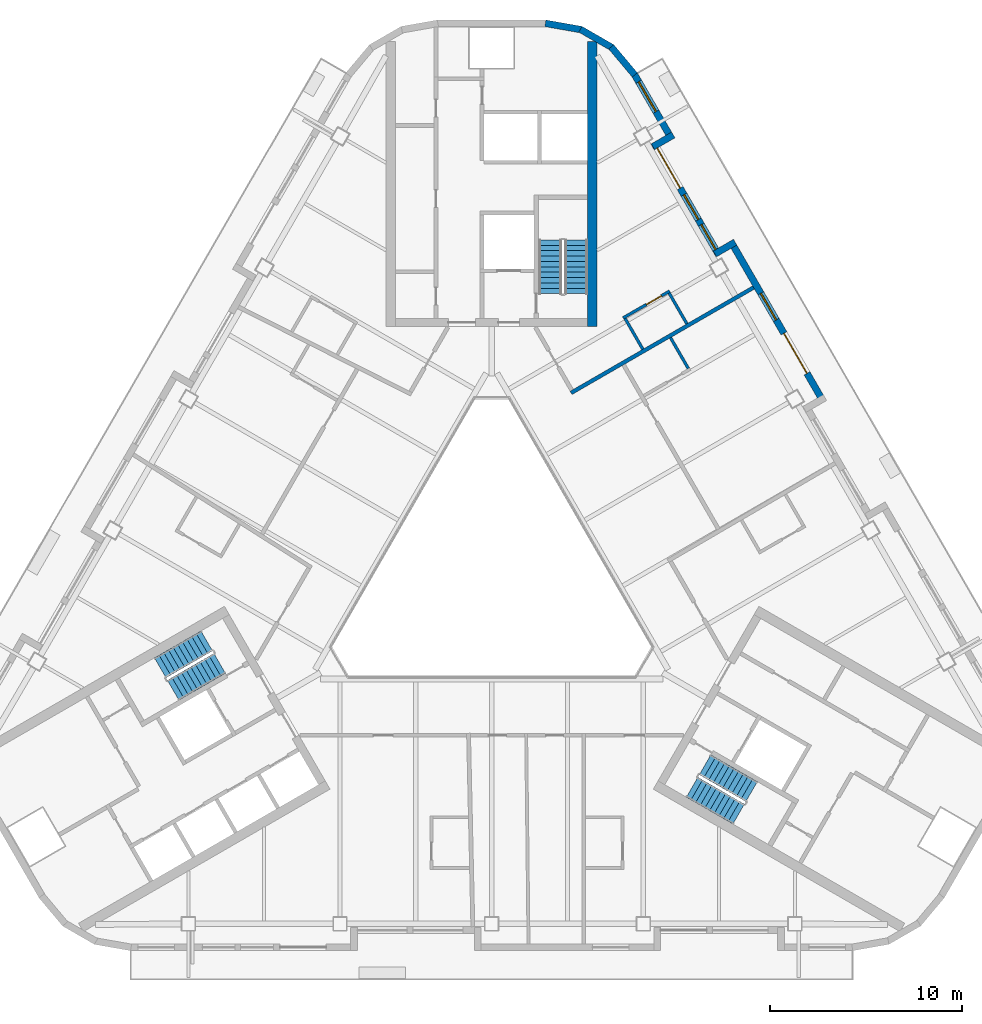
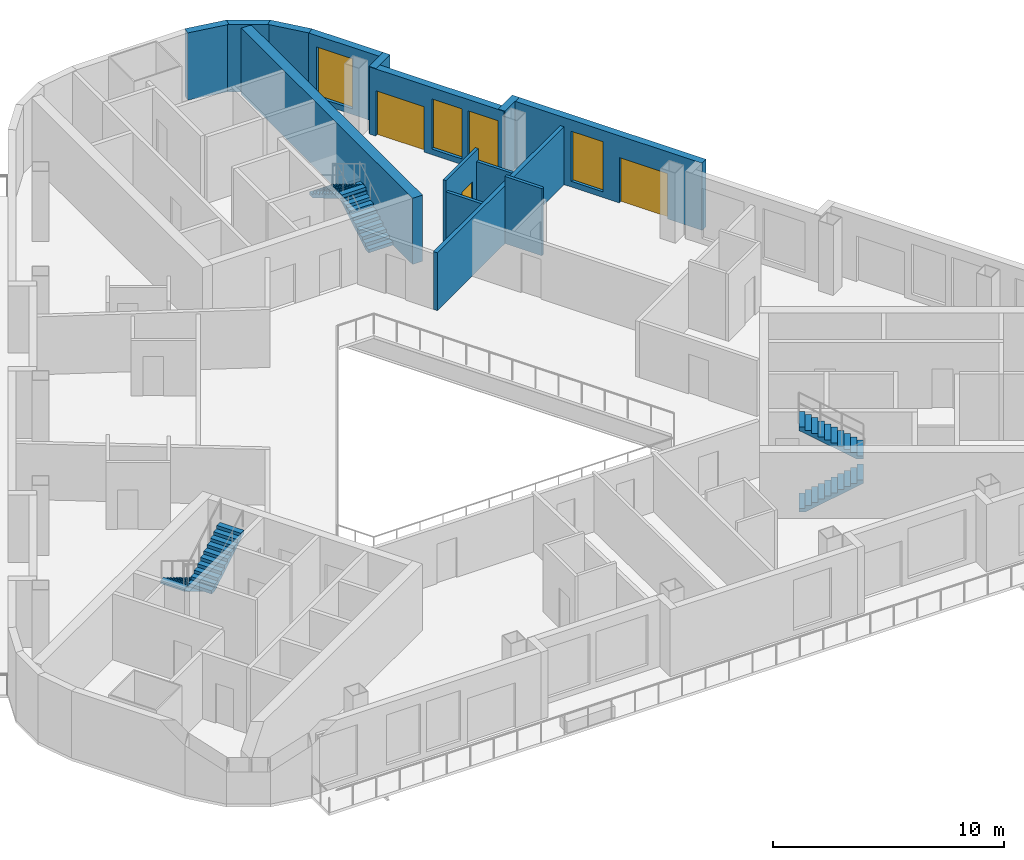
# One storey, part 7 of 13: 14 walls, 6 stair flights, 4 windows, 3 doors, 7 openings, 3 elements without a shape of their own.
"""IFC4 building model written with IfcOpenShell, lengths in metres."""

from ifc_helpers import new_model, si_unit, direction, frame, frame_2d, origin, place, context, subcontext, project, spatial, polyline, rectangle, outline, extrude, material, layer, layer_set, type_object, element, fill, aggregate, save


model = new_model("IFC4")

# Units and contexts
model_context = context("Model", 3, precision=1e-05, world=origin(), true_north=direction((0.0, 1.0)))
body_context = subcontext(model_context, "Body", "Model", "MODEL_VIEW")
ifc_project = project(units=[si_unit("LENGTHUNIT", "METRE"), si_unit("AREAUNIT", "SQUARE_METRE"), si_unit("VOLUMEUNIT", "CUBIC_METRE"), si_unit("PLANEANGLEUNIT", "RADIAN"), si_unit("MASSUNIT", "GRAM", prefix="KILO")], contexts=[model_context])

# Site, building, storey
site_placement = place(None, origin())
site = spatial("IfcSite", under=ifc_project, at=site_placement, CompositionType="ELEMENT")
building_placement = place(site_placement, origin())
building = spatial("IfcBuilding", under=site, at=building_placement, Name="Apuvela Tower Hotel", CompositionType="ELEMENT")
storey_placement = place(building_placement, frame((0.0, 0.0, 194.699951171875)))
storey = spatial("IfcBuildingStorey", under=building, at=storey_placement, Name="L47", CompositionType="ELEMENT", Elevation=194.699951171875)

# Wall
ifc_material_1 = material(Name="Concrete C50/60", Category="concrete")
ifc_layer_1 = layer(ifc_material_1, 0.5)
ifc_layer_set_1 = layer_set([ifc_layer_1], Name="COR-WALL-CORE-500")
wall_type_1 = type_object("IfcWallType", Name="COR-WALL-CORE-500", PredefinedType="SHEAR", material=ifc_layer_set_1)
wall_1_placement = place(storey_placement, frame((5.25, 12.89990234375, 0.0), z_axis=(0.0, 0.0, 1.0), x_axis=(0.0, 1.0, 0.0)))
element("IfcWall", 1, at=wall_1_placement, inside=storey, type_object=wall_type_1, Name="Core wall N", PredefinedType="SHEAR", context=body_context, shape_type="SweptSolid", body=[
    extrude(rectangle(XDim=14.8369140625, YDim=0.5, at=frame_2d((7.41845703125, 0.0))), origin(), (0.0, 0.0, 1.0), 3.5),
])

# Wall, openings, door, window
ifc_material_2 = material(Name="Concrete C40/50, dark pigmented precast panel", Category="concrete")
ifc_layer_2 = layer(ifc_material_2, 0.35009765625)
ifc_layer_set_2 = layer_set([ifc_layer_2], Name="ENV-WALL-350")
wall_type_2 = type_object("IfcWallType", Name="ENV-WALL-350", PredefinedType="SOLIDWALL", material=ifc_layer_set_2)
wall_2_placement = place(storey_placement, frame((17.298583984375, 8.947998046875, 0.0), z_axis=(0.0, 0.0, 1.0), x_axis=(-0.500010041276, 0.866019606374, 0.0)))
wall_2 = element("IfcWall", 2, at=wall_2_placement, inside=storey, type_object=wall_type_2, Name="External wall L47-37", PredefinedType="SOLIDWALL", context=body_context, shape_type="SweptSolid", body=[
    extrude(rectangle(XDim=9.699951171875, YDim=0.35009765625, at=frame_2d((4.85009765625, 0.0))), origin(), (0.0, 0.0, 1.0), 3.550048828125),
])
opening_1_placement = place(wall_2_placement, frame((1.737060546875, 0.0, 0.0)))
opening_1 = element("IfcOpeningElement", 3, at=opening_1_placement, cuts=wall_2, Name="Opening BD24", PredefinedType="OPENING", context=body_context, shape_type="SweptSolid", body=[
    extrude(rectangle(XDim=2.39990234375, YDim=2.39990234375, at=frame_2d((1.199951171875, 1.199951171875))), frame((0.0, 0.18505859375, 0.0), z_axis=(0.0, -1.0, 0.0), x_axis=(1.0, 0.0, 0.0)), (0.0, 0.0, 1.0), 0.3701171875),
])
opening_2_placement = place(wall_2_placement, frame((4.94921875, 0.0, 0.300048828125)))
opening_2 = element("IfcOpeningElement", 4, at=opening_2_placement, cuts=wall_2, Name="Opening WN16", PredefinedType="OPENING", context=body_context, shape_type="SweptSolid", body=[
    extrude(rectangle(XDim=1.60009765625, YDim=2.64990234375, at=frame_2d((0.800048828125, 1.324951171875))), frame((0.0, 0.18505859375, 0.0), z_axis=(0.0, -1.0, 0.0), x_axis=(1.0, 0.0, 0.0)), (0.0, 0.0, 1.0), 0.3701171875),
])
ifc_material_3 = material(Name="Aluminium 6063-T6, dark bronze anodised frame with dark tinted laminated glass", Category="aluminium")
door_type_1 = type_object("IfcDoorType", Name="ENV-DOOR-BALCONY-2400x2400", OperationType="SLIDING_TO_LEFT", PredefinedType="DOOR", material=ifc_material_3)
door_1_placement = place(opening_1_placement, frame((2.39990234375, 0.0, 0.0), z_axis=(0.0, 0.0, 1.0), x_axis=(-1.0, 0.0, 0.0)))
door_1 = element("IfcDoor", 5, at=door_1_placement, inside=storey, type_object=door_type_1, Name="Balcony door BD24", OperationType="SLIDING_TO_LEFT", OverallHeight=2.39990234375, OverallWidth=2.39990234375, PredefinedType="DOOR", context=body_context, shape_type="SweptSolid", body=[
    extrude(rectangle(XDim=2.39990234375, YDim=2.39990234375, at=frame_2d((1.199951171875, 1.199951171875))), frame((0.0, 0.02490234375, 0.0), z_axis=(0.0, -1.0, 0.0), x_axis=(1.0, 0.0, 0.0)), (0.0, 0.0, 1.0), 0.050048828125),
])
fill(opening_1, door_1)
ifc_material_4 = material(Name="Glass, dark tinted laminated insulated glazing unit", Category="glass")
window_type_1 = type_object("IfcWindowType", Name="ENV-WIN-1600x2650", PartitioningType="SINGLE_PANEL", PredefinedType="WINDOW", material=ifc_material_4)
window_1_placement = place(opening_2_placement, origin())
window_1 = element("IfcWindow", 6, at=window_1_placement, inside=storey, type_object=window_type_1, Name="Window WN16", OverallHeight=2.64990234375, OverallWidth=1.60009765625, PartitioningType="SINGLE_PANEL", PredefinedType="WINDOW", context=body_context, shape_type="SweptSolid", body=[
    extrude(rectangle(XDim=1.60009765625, YDim=2.64990234375, at=frame_2d((0.800048828125, 1.324951171875))), frame((0.0, 0.030029296875, 0.0), z_axis=(0.0, -1.0, 0.0), x_axis=(1.0, 0.0, 0.0)), (0.0, 0.0, 1.0), 0.06005859375),
])
fill(opening_2, window_1)

# Wall
wall_3_placement = place(storey_placement, frame((12.6875, 17.284423828125, 0.0), z_axis=(0.0, 0.0, 1.0), x_axis=(-0.865955602162, -0.500120880472, 0.0)))
element("IfcWall", 7, at=wall_3_placement, inside=storey, type_object=wall_type_2, Name="External wall L47-38", PredefinedType="SOLIDWALL", context=body_context, shape_type="SweptSolid", body=[
    extrude(rectangle(XDim=1.219970703125, YDim=0.35009765625, at=frame_2d((0.60986328125, 0.0))), origin(), (0.0, 0.0, 1.0), 3.550048828125),
])

# Wall, openings, door, windows
wall_4_placement = place(storey_placement, frame((11.8291015625, 16.621337890625, 0.0), z_axis=(0.0, 0.0, 1.0), x_axis=(-0.500003597184, 0.866023326939, 0.0)))
wall_4 = element("IfcWall", 8, at=wall_4_placement, inside=storey, type_object=wall_type_2, Name="External wall L47-39", PredefinedType="SOLIDWALL", context=body_context, shape_type="SweptSolid", body=[
    extrude(rectangle(XDim=6.740234375, YDim=0.35009765625, at=frame_2d((3.3701171875, 0.0))), origin(), (0.0, 0.0, 1.0), 3.550048828125),
])
opening_3_placement = place(wall_4_placement, frame((4.01953125, 0.0, 0.0)))
opening_3 = element("IfcOpeningElement", 9, at=opening_3_placement, cuts=wall_4, Name="Opening BD24", PredefinedType="OPENING", context=body_context, shape_type="SweptSolid", body=[
    extrude(rectangle(XDim=2.39990234375, YDim=2.39990234375, at=frame_2d((1.199951171875, 1.199951171875))), frame((0.0, 0.18505859375, 0.0), z_axis=(0.0, -1.0, 0.0), x_axis=(1.0, 0.0, 0.0)), (0.0, 0.0, 1.0), 0.3701171875),
])
opening_4_placement = place(wall_4_placement, frame((0.320068359375, 0.0, 0.300048828125)))
opening_4 = element("IfcOpeningElement", 10, at=opening_4_placement, cuts=wall_4, Name="Opening WN15", PredefinedType="OPENING", context=body_context, shape_type="SweptSolid", body=[
    extrude(rectangle(XDim=1.5, YDim=2.64990234375, at=frame_2d((0.75, 1.324951171875))), frame((0.0, 0.18505859375, 0.0), z_axis=(0.0, -1.0, 0.0), x_axis=(1.0, 0.0, 0.0)), (0.0, 0.0, 1.0), 0.3701171875),
])
opening_5_placement = place(wall_4_placement, frame((2.1201171875, 0.0, 0.300048828125)))
opening_5 = element("IfcOpeningElement", 11, at=opening_5_placement, cuts=wall_4, Name="Opening WN15", PredefinedType="OPENING", context=body_context, shape_type="SweptSolid", body=[
    extrude(rectangle(XDim=1.5, YDim=2.64990234375, at=frame_2d((0.75, 1.324951171875))), frame((0.0, 0.18505859375, 0.0), z_axis=(0.0, -1.0, 0.0), x_axis=(1.0, 0.0, 0.0)), (0.0, 0.0, 1.0), 0.3701171875),
])
door_2_placement = place(opening_3_placement, frame((2.39990234375, 0.0, 0.0), z_axis=(0.0, 0.0, 1.0), x_axis=(-1.0, 0.0, 0.0)))
door_2 = element("IfcDoor", 12, at=door_2_placement, inside=storey, type_object=door_type_1, Name="Balcony door BD24", OperationType="SLIDING_TO_LEFT", OverallHeight=2.39990234375, OverallWidth=2.39990234375, PredefinedType="DOOR", context=body_context, shape_type="SweptSolid", body=[
    extrude(rectangle(XDim=2.39990234375, YDim=2.39990234375, at=frame_2d((1.199951171875, 1.199951171875))), frame((0.0, 0.02490234375, 0.0), z_axis=(0.0, -1.0, 0.0), x_axis=(1.0, 0.0, 0.0)), (0.0, 0.0, 1.0), 0.050048828125),
])
fill(opening_3, door_2)
window_type_2 = type_object("IfcWindowType", Name="ENV-WIN-1500x2650", PartitioningType="SINGLE_PANEL", PredefinedType="WINDOW", material=ifc_material_4)
window_2_placement = place(opening_4_placement, origin())
window_2 = element("IfcWindow", 13, at=window_2_placement, inside=storey, type_object=window_type_2, Name="Window WN15", OverallHeight=2.64990234375, OverallWidth=1.5, PartitioningType="SINGLE_PANEL", PredefinedType="WINDOW", context=body_context, shape_type="SweptSolid", body=[
    extrude(rectangle(XDim=1.5, YDim=2.64990234375, at=frame_2d((0.75, 1.324951171875))), frame((0.0, 0.030029296875, 0.0), z_axis=(0.0, -1.0, 0.0), x_axis=(1.0, 0.0, 0.0)), (0.0, 0.0, 1.0), 0.06005859375),
])
fill(opening_4, window_2)
window_3_placement = place(opening_5_placement, origin())
window_3 = element("IfcWindow", 14, at=window_3_placement, inside=storey, type_object=window_type_2, Name="Window WN15", OverallHeight=2.64990234375, OverallWidth=1.5, PartitioningType="SINGLE_PANEL", PredefinedType="WINDOW", context=body_context, shape_type="SweptSolid", body=[
    extrude(rectangle(XDim=1.5, YDim=2.64990234375, at=frame_2d((0.75, 1.324951171875))), frame((0.0, 0.030029296875, 0.0), z_axis=(0.0, -1.0, 0.0), x_axis=(1.0, 0.0, 0.0)), (0.0, 0.0, 1.0), 0.06005859375),
])
fill(opening_5, window_3)

# Wall
wall_5_placement = place(storey_placement, frame((8.406005859375, 22.26025390625, 0.0), z_axis=(0.0, 0.0, 1.0), x_axis=(0.865955602162, 0.500120880472, 0.0)))
element("IfcWall", 15, at=wall_5_placement, inside=storey, type_object=wall_type_2, Name="External wall L47-40", PredefinedType="SOLIDWALL", context=body_context, shape_type="SweptSolid", body=[
    extrude(rectangle(XDim=1.219970703125, YDim=0.35009765625, at=frame_2d((0.60986328125, 0.0))), origin(), (0.0, 0.0, 1.0), 3.550048828125),
])

# Wall, opening, window
wall_6_placement = place(storey_placement, frame((9.3984375, 22.631103515625, 0.0), z_axis=(0.0, 0.0, 1.0), x_axis=(-0.499954521343, 0.866051659307, 0.0)))
wall_6 = element("IfcWall", 16, at=wall_6_placement, inside=storey, type_object=wall_type_2, Name="External wall L47-41", PredefinedType="SOLIDWALL", context=body_context, shape_type="SweptSolid", body=[
    extrude(rectangle(XDim=3.915771484375, YDim=0.35009765625, at=frame_2d((1.9580078125, 0.0))), origin(), (0.0, 0.0, 1.0), 3.550048828125),
])
opening_6_placement = place(wall_6_placement, frame((1.67626953125, 0.0, 0.300048828125)))
opening_6 = element("IfcOpeningElement", 17, at=opening_6_placement, cuts=wall_6, Name="Opening WN18", PredefinedType="OPENING", context=body_context, shape_type="SweptSolid", body=[
    extrude(rectangle(XDim=1.800048828125, YDim=2.64990234375, at=frame_2d((0.89990234375, 1.324951171875))), frame((0.0, 0.18505859375, 0.0), z_axis=(0.0, -1.0, 0.0), x_axis=(1.0, 0.0, 0.0)), (0.0, 0.0, 1.0), 0.3701171875),
])
window_type_3 = type_object("IfcWindowType", Name="ENV-WIN-1800x2650", PartitioningType="SINGLE_PANEL", PredefinedType="WINDOW", material=ifc_material_4)
window_4_placement = place(opening_6_placement, origin())
window_4 = element("IfcWindow", 18, at=window_4_placement, inside=storey, type_object=window_type_3, Name="Window WN18", OverallHeight=2.64990234375, OverallWidth=1.800048828125, PartitioningType="SINGLE_PANEL", PredefinedType="WINDOW", context=body_context, shape_type="SweptSolid", body=[
    extrude(rectangle(XDim=1.800048828125, YDim=2.64990234375, at=frame_2d((0.89990234375, 1.324951171875))), frame((0.0, 0.030029296875, 0.0), z_axis=(0.0, -1.0, 0.0), x_axis=(1.0, 0.0, 0.0)), (0.0, 0.0, 1.0), 0.06005859375),
])
fill(opening_6, window_4)

# Walls
wall_7_placement = place(storey_placement, frame((7.4580078125, 25.99755859375, 0.0), z_axis=(0.0, 0.0, 1.0), x_axis=(-0.642808304945, 0.766027077259, 0.0)))
element("IfcWall", 19, at=wall_7_placement, inside=storey, type_object=wall_type_2, Name="External wall L47-42", PredefinedType="SOLIDWALL", context=body_context, shape_type="SweptSolid", body=[
    extrude(rectangle(XDim=1.909912109375, YDim=0.35009765625, at=frame_2d((0.955078125, 0.0))), origin(), (0.0, 0.0, 1.0), 3.550048828125),
])
for number, where, z_axis, x_axis, name in (
    (20, (6.27685546875, 27.421630859375, 0.0), (0.0, 0.0, 1.0), (-0.866032345022, 0.499987977232, 0.0), "External wall L47-43"),
    (21, (4.6796875, 28.35595703125, 0.0), (0.0, 0.0, 1.0), (-0.984798995425, 0.173697837091, 0.0), "External wall L47-44"),
):
    element("IfcWall", number, at=place(storey_placement, frame(where, z_axis=z_axis, x_axis=x_axis)), inside=storey, type_object=wall_type_2, Name=name, PredefinedType="SOLIDWALL", context=body_context, shape_type="SweptSolid", body=[
        extrude(rectangle(XDim=1.91015625, YDim=0.35009765625, at=frame_2d((0.955078125, 0.0))), origin(), (0.0, 0.0, 1.0), 3.550048828125),
    ])
ifc_material_5 = material(Name="Gypsum board partition on twin steel stud", Category="steel")
ifc_layer_3 = layer(ifc_material_5, 0.199951171875)
ifc_layer_set_3 = layer_set([ifc_layer_3], Name="GST-PW1")
wall_type_3 = type_object("IfcWallType", Name="GST-PW1", PredefinedType="PARTITIONING", material=ifc_layer_set_3)
wall_8_placement = place(storey_placement, frame((13.64697265625, 14.9228515625, 0.0), z_axis=(0.0, 0.0, 1.0), x_axis=(-0.866027479907, -0.499996404033, 0.0)))
element("IfcWall", 22, at=wall_8_placement, inside=storey, type_object=wall_type_3, Name="L47 partition 04", PredefinedType="PARTITIONING", context=body_context, shape_type="SweptSolid", body=[
    extrude(rectangle(XDim=10.97998046875, YDim=0.199951171875, at=frame_2d((5.489990234375, 0.0))), origin(), (0.0, 0.0, 1.0), 3.06005859375),
])
ifc_material_6 = material(Name="Moisture-resistant gypsum board wet wall on steel stud", Category="steel")
ifc_layer_4 = layer(ifc_material_6, 0.14990234375)
ifc_layer_set_4 = layer_set([ifc_layer_4], Name="GST-PW3")
wall_type_4 = type_object("IfcWallType", Name="GST-PW3", PredefinedType="PARTITIONING", material=ifc_layer_set_4)
wall_9_placement = place(storey_placement, frame((10.244140625, 10.70654296875, 0.0), z_axis=(0.0, 0.0, 1.0), x_axis=(-0.500042316284, 0.866000971088, 0.0)))
element("IfcWall", 23, at=wall_9_placement, inside=storey, type_object=wall_type_4, Name="L47 partition 24", PredefinedType="PARTITIONING", context=body_context, shape_type="SweptSolid", body=[
    extrude(rectangle(XDim=1.849853515625, YDim=0.14990234375, at=frame_2d((0.9248046875, 0.0))), origin(), (0.0, 0.0, 1.0), 3.550048828125),
])

# Wall, opening, door
wall_10_placement = place(storey_placement, frame((9.2744140625, 14.736572265625, 0.0), z_axis=(0.0, 0.0, 1.0), x_axis=(-0.866018616679, -0.500011755427, 0.0)))
wall_10 = element("IfcWall", 24, at=wall_10_placement, inside=storey, type_object=wall_type_4, Name="L47 partition 26", PredefinedType="PARTITIONING", context=body_context, shape_type="SweptSolid", body=[
    extrude(rectangle(XDim=2.80029296875, YDim=0.14990234375, at=frame_2d((1.400146484375, 0.0))), origin(), (0.0, 0.0, 1.0), 3.550048828125),
])
opening_7_placement = place(wall_10_placement, frame((0.5, 0.0, 0.0)))
opening_7 = element("IfcOpeningElement", 25, at=opening_7_placement, cuts=wall_10, Name="Opening GD18-11", PredefinedType="OPENING", context=body_context, shape_type="SweptSolid", body=[
    extrude(rectangle(XDim=0.89990234375, YDim=2.10009765625, at=frame_2d((0.449951171875, 1.050048828125))), frame((0.0, 0.0849609375, 0.0), z_axis=(0.0, -1.0, 0.0), x_axis=(1.0, 0.0, 0.0)), (0.0, 0.0, 1.0), 0.169921875),
])
ifc_material_7 = material(Name="Timber door leaf in steel frame", Category="steel")
door_type_2 = type_object("IfcDoorType", Name="GST-D2", OperationType="NOTDEFINED", PredefinedType="DOOR", material=ifc_material_7)
door_3_placement = place(opening_7_placement, origin())
door_3 = element("IfcDoor", 26, at=door_3_placement, inside=storey, type_object=door_type_2, Name="Door L47-11", OperationType="SINGLE_SWING_LEFT", OverallHeight=2.10009765625, OverallWidth=0.89990234375, PredefinedType="DOOR", context=body_context, shape_type="SweptSolid", body=[
    extrude(rectangle(XDim=0.89990234375, YDim=2.10009765625, at=frame_2d((0.449951171875, 1.050048828125))), frame((0.0, 0.02490234375, 0.0), z_axis=(0.0, -1.0, 0.0), x_axis=(1.0, 0.0, 0.0)), (0.0, 0.0, 1.0), 0.050048828125),
])
fill(opening_7, door_3)

# Walls
wall_11_placement = place(storey_placement, frame((10.171875, 13.031982421875, 0.0), z_axis=(0.0, 0.0, 1.0), x_axis=(-0.500042316284, 0.866000971088, 0.0)))
element("IfcWall", 27, at=wall_11_placement, inside=storey, type_object=wall_type_4, Name="L47 partition 27", PredefinedType="PARTITIONING", context=body_context, shape_type="SweptSolid", body=[
    extrude(rectangle(XDim=1.849853515625, YDim=0.14990234375, at=frame_2d((0.9248046875, 0.0))), origin(), (0.0, 0.0, 1.0), 2.949951171875),
])
wall_12_placement = place(storey_placement, frame((7.876953125, 11.706787109375, 0.0), z_axis=(0.0, 0.0, 1.0), x_axis=(-0.499985172903, 0.866033964044, 0.0)))
element("IfcWall", 28, at=wall_12_placement, inside=storey, type_object=wall_type_4, Name="L47 partition 28", PredefinedType="PARTITIONING", context=body_context, shape_type="SweptSolid", body=[
    extrude(rectangle(XDim=1.85009765625, YDim=0.14990234375, at=frame_2d((0.925048828125, 0.0))), origin(), (0.0, 0.0, 1.0), 2.949951171875),
])

# Stair, stair flights
stair_type = type_object("IfcStairType", Name="COR-STAIR-22R", PredefinedType="HALF_TURN_STAIR", material=ifc_material_1)
stair_1_placement = place(storey_placement, origin())
stair_1 = element("IfcStair", 29, at=stair_1_placement, inside=storey, type_object=stair_type, Name="L47 Exit stair ST1", PredefinedType="HALF_TURN_STAIR")
stair_flight_type = type_object("IfcStairFlightType", Name="COR-FLIGHT-11R", PredefinedType="STRAIGHT", material=ifc_material_1)
stair_flight_1_placement = place(storey_placement, frame((4.39990234375, 14.60009765625, 0.0), z_axis=(0.0, 0.0, 1.0), x_axis=(0.0, 1.0, 0.0)))
stair_flight_1 = element("IfcStairFlight", 30, at=stair_flight_1_placement, type_object=stair_flight_type, Name="ST1 flight 1", NumberOfRisers=11, NumberOfTreads=10, PredefinedType="STRAIGHT", RiserHeight=0.168181818, TreadLength=0.28, context=body_context, shape_type="SweptSolid", body=[
    extrude(outline(polyline([(0.0, 0.0), (0.0, 0.168212890625), (0.280029296875, 0.168212890625), (0.280029296875, 0.33642578125), (0.56005859375, 0.33642578125), (0.56005859375, 0.504638671875), (0.840087890625, 0.504638671875), (0.840087890625, 0.672607421875), (1.1201171875, 0.672607421875), (1.1201171875, 0.8408203125), (1.39990234375, 0.8408203125), (1.39990234375, 1.009033203125), (1.679931640625, 1.009033203125), (1.679931640625, 1.17724609375), (1.9599609375, 1.17724609375), (1.9599609375, 1.345458984375), (2.239990234375, 1.345458984375), (2.239990234375, 1.513671875), (2.52001953125, 1.513671875), (2.52001953125, 1.681884765625), (2.800048828125, 1.681884765625), (2.800048828125, 1.85009765625), (2.800048828125, 1.5068359375), (0.291015625, 0.0), (0.0, 0.0)])), frame((0.0, 0.60009765625, 0.0), z_axis=(0.0, -1.0, 0.0), x_axis=(1.0, 0.0, 0.0)), (0.0, 0.0, 1.0), 1.199951171875),
])
stair_flight_2_placement = place(storey_placement, frame((3.050048828125, 17.39990234375, 1.85009765625), z_axis=(0.0, 0.0, 1.0), x_axis=(0.0, -1.0, 0.0)))
stair_flight_2 = element("IfcStairFlight", 31, at=stair_flight_2_placement, type_object=stair_flight_type, Name="ST1 flight 2", NumberOfRisers=11, NumberOfTreads=10, PredefinedType="STRAIGHT", RiserHeight=0.168181818, TreadLength=0.28, context=body_context, shape_type="SweptSolid", body=[
    extrude(outline(polyline([(0.0, 0.0), (0.0, 0.168212890625), (0.280029296875, 0.168212890625), (0.280029296875, 0.33642578125), (0.56005859375, 0.33642578125), (0.56005859375, 0.504638671875), (0.840087890625, 0.504638671875), (0.840087890625, 0.672607421875), (1.1201171875, 0.672607421875), (1.1201171875, 0.8408203125), (1.39990234375, 0.8408203125), (1.39990234375, 1.009033203125), (1.679931640625, 1.009033203125), (1.679931640625, 1.17724609375), (1.9599609375, 1.17724609375), (1.9599609375, 1.345458984375), (2.239990234375, 1.345458984375), (2.239990234375, 1.513671875), (2.52001953125, 1.513671875), (2.52001953125, 1.681884765625), (2.800048828125, 1.681884765625), (2.800048828125, 1.85009765625), (2.800048828125, 1.5068359375), (0.291015625, 0.0), (0.0, 0.0)])), frame((0.0, 0.60009765625, 0.0), z_axis=(0.0, -1.0, 0.0), x_axis=(1.0, 0.0, 0.0)), (0.0, 0.0, 1.0), 1.199951171875),
])
aggregate(stair_1, [stair_flight_1, stair_flight_2])

stair_2_placement = place(storey_placement, origin())
stair_2 = element("IfcStair", 32, at=stair_2_placement, inside=storey, type_object=stair_type, Name="L47 Exit stair ST2", PredefinedType="HALF_TURN_STAIR")
stair_flight_3_placement = place(storey_placement, frame((-14.843994140625, -3.489501953125, 0.0), z_axis=(0.0, 0.0, 1.0), x_axis=(-0.866025403784, -0.5, 0.0)))
stair_flight_3 = element("IfcStairFlight", 33, at=stair_flight_3_placement, type_object=stair_flight_type, Name="ST2 flight 1", NumberOfRisers=11, NumberOfTreads=10, PredefinedType="STRAIGHT", RiserHeight=0.168181818, TreadLength=0.28, context=body_context, shape_type="SweptSolid", body=[
    extrude(outline(polyline([(0.0, 0.0), (0.0, 0.168212890625), (0.280029296875, 0.168212890625), (0.280029296875, 0.33642578125), (0.56005859375, 0.33642578125), (0.56005859375, 0.504638671875), (0.840087890625, 0.504638671875), (0.840087890625, 0.672607421875), (1.1201171875, 0.672607421875), (1.1201171875, 0.8408203125), (1.39990234375, 0.8408203125), (1.39990234375, 1.009033203125), (1.679931640625, 1.009033203125), (1.679931640625, 1.17724609375), (1.9599609375, 1.17724609375), (1.9599609375, 1.345458984375), (2.239990234375, 1.345458984375), (2.239990234375, 1.513671875), (2.52001953125, 1.513671875), (2.52001953125, 1.681884765625), (2.800048828125, 1.681884765625), (2.800048828125, 1.85009765625), (2.800048828125, 1.5068359375), (0.291015625, 0.0), (0.0, 0.0)])), frame((0.0, 0.60009765625, 0.0), z_axis=(0.0, -1.0, 0.0), x_axis=(1.0, 0.0, 0.0)), (0.0, 0.0, 1.0), 1.199951171875),
])
stair_flight_4_placement = place(storey_placement, frame((-16.59375, -6.05859375, 1.85009765625), z_axis=(0.0, 0.0, 1.0), x_axis=(0.866025403784, 0.5, 0.0)))
stair_flight_4 = element("IfcStairFlight", 34, at=stair_flight_4_placement, type_object=stair_flight_type, Name="ST2 flight 2", NumberOfRisers=11, NumberOfTreads=10, PredefinedType="STRAIGHT", RiserHeight=0.168181818, TreadLength=0.28, context=body_context, shape_type="SweptSolid", body=[
    extrude(outline(polyline([(0.0, 0.0), (0.0, 0.168212890625), (0.280029296875, 0.168212890625), (0.280029296875, 0.33642578125), (0.56005859375, 0.33642578125), (0.56005859375, 0.504638671875), (0.840087890625, 0.504638671875), (0.840087890625, 0.672607421875), (1.1201171875, 0.672607421875), (1.1201171875, 0.8408203125), (1.39990234375, 0.8408203125), (1.39990234375, 1.009033203125), (1.679931640625, 1.009033203125), (1.679931640625, 1.17724609375), (1.9599609375, 1.17724609375), (1.9599609375, 1.345458984375), (2.239990234375, 1.345458984375), (2.239990234375, 1.513671875), (2.52001953125, 1.513671875), (2.52001953125, 1.681884765625), (2.800048828125, 1.681884765625), (2.800048828125, 1.85009765625), (2.800048828125, 1.5068359375), (0.291015625, 0.0), (0.0, 0.0)])), frame((0.0, 0.60009765625, 0.0), z_axis=(0.0, -1.0, 0.0), x_axis=(1.0, 0.0, 0.0)), (0.0, 0.0, 1.0), 1.199951171875),
])
aggregate(stair_2, [stair_flight_3, stair_flight_4])

stair_3_placement = place(storey_placement, origin())
stair_3 = element("IfcStair", 35, at=stair_3_placement, inside=storey, type_object=stair_type, Name="L47 Exit stair ST3", PredefinedType="HALF_TURN_STAIR")
stair_flight_5_placement = place(storey_placement, frame((10.444091796875, -11.110595703125, 0.0), z_axis=(0.0, 0.0, 1.0), x_axis=(0.866025403784, -0.5, 0.0)))
stair_flight_5 = element("IfcStairFlight", 36, at=stair_flight_5_placement, type_object=stair_flight_type, Name="ST3 flight 1", NumberOfRisers=11, NumberOfTreads=10, PredefinedType="STRAIGHT", RiserHeight=0.168181818, TreadLength=0.28, context=body_context, shape_type="SweptSolid", body=[
    extrude(outline(polyline([(0.0, 0.0), (0.0, 0.168212890625), (0.280029296875, 0.168212890625), (0.280029296875, 0.33642578125), (0.56005859375, 0.33642578125), (0.56005859375, 0.504638671875), (0.840087890625, 0.504638671875), (0.840087890625, 0.672607421875), (1.1201171875, 0.672607421875), (1.1201171875, 0.8408203125), (1.39990234375, 0.8408203125), (1.39990234375, 1.009033203125), (1.679931640625, 1.009033203125), (1.679931640625, 1.17724609375), (1.9599609375, 1.17724609375), (1.9599609375, 1.345458984375), (2.239990234375, 1.345458984375), (2.239990234375, 1.513671875), (2.52001953125, 1.513671875), (2.52001953125, 1.681884765625), (2.800048828125, 1.681884765625), (2.800048828125, 1.85009765625), (2.800048828125, 1.5068359375), (0.291015625, 0.0), (0.0, 0.0)])), frame((0.0, 0.60009765625, 0.0), z_axis=(0.0, -1.0, 0.0), x_axis=(1.0, 0.0, 0.0)), (0.0, 0.0, 1.0), 1.199951171875),
])
stair_flight_6_placement = place(storey_placement, frame((13.5439453125, -11.34130859375, 1.85009765625), z_axis=(0.0, 0.0, 1.0), x_axis=(-0.866025403784, 0.5, 0.0)))
stair_flight_6 = element("IfcStairFlight", 37, at=stair_flight_6_placement, type_object=stair_flight_type, Name="ST3 flight 2", NumberOfRisers=11, NumberOfTreads=10, PredefinedType="STRAIGHT", RiserHeight=0.168181818, TreadLength=0.28, context=body_context, shape_type="SweptSolid", body=[
    extrude(outline(polyline([(0.0, 0.0), (0.0, 0.168212890625), (0.280029296875, 0.168212890625), (0.280029296875, 0.33642578125), (0.56005859375, 0.33642578125), (0.56005859375, 0.504638671875), (0.840087890625, 0.504638671875), (0.840087890625, 0.672607421875), (1.1201171875, 0.672607421875), (1.1201171875, 0.8408203125), (1.39990234375, 0.8408203125), (1.39990234375, 1.009033203125), (1.679931640625, 1.009033203125), (1.679931640625, 1.17724609375), (1.9599609375, 1.17724609375), (1.9599609375, 1.345458984375), (2.239990234375, 1.345458984375), (2.239990234375, 1.513671875), (2.52001953125, 1.513671875), (2.52001953125, 1.681884765625), (2.800048828125, 1.681884765625), (2.800048828125, 1.85009765625), (2.800048828125, 1.5068359375), (0.291015625, 0.0), (0.0, 0.0)])), frame((0.0, 0.60009765625, 0.0), z_axis=(0.0, -1.0, 0.0), x_axis=(1.0, 0.0, 0.0)), (0.0, 0.0, 1.0), 1.199951171875),
])
aggregate(stair_3, [stair_flight_5, stair_flight_6])

save(model, "model.ifc")
